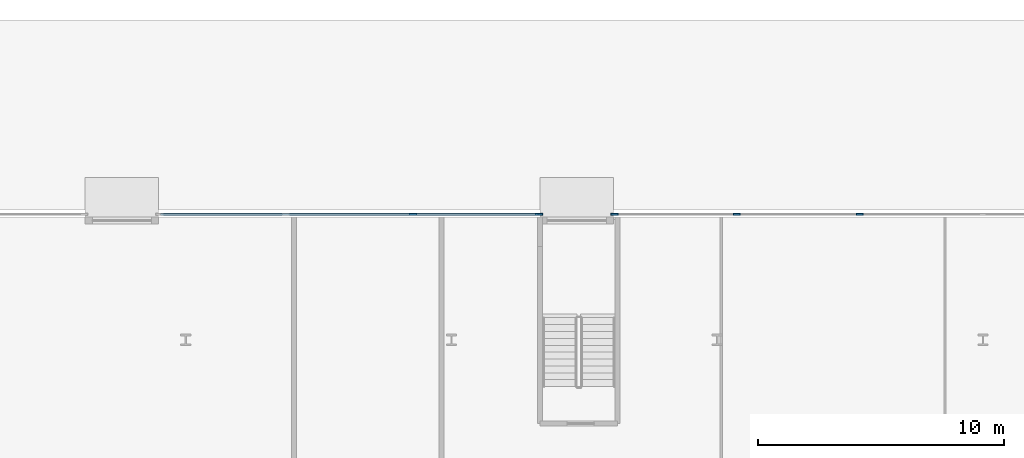
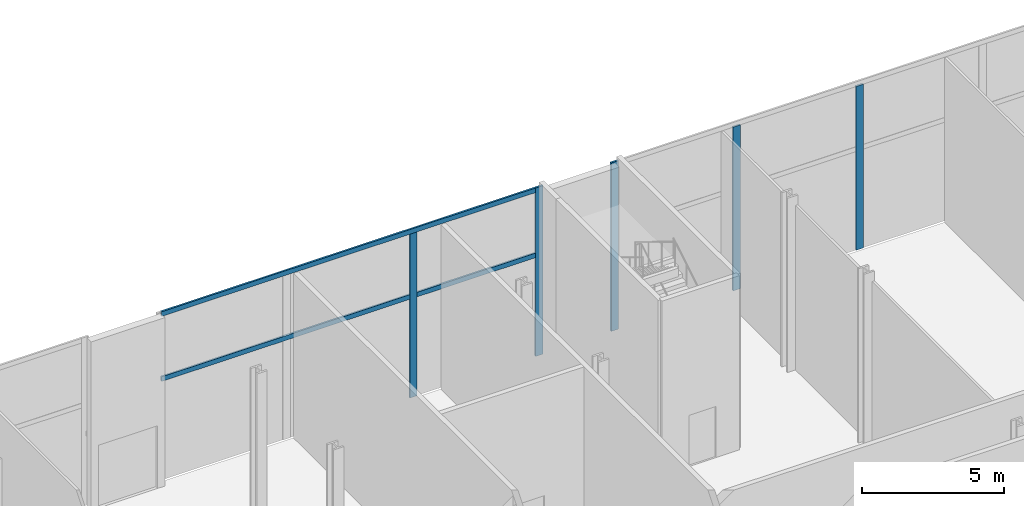
# One storey, part 13 of 46: 7 members, 2 elements without a shape of their own.
"""IFC4 building model written with IfcOpenShell, lengths in metres."""

from ifc_helpers import new_model, si_unit, direction, frame, origin, origin_2d, place, context, subcontext, project, spatial, rectangle, extrude, material, layer, layer_set, material_profile, profile_set, type_object, element, aggregate, save


model = new_model("IFC4")

# Units and contexts
model_context = context("Model", 3, precision=1e-05, world=origin(), true_north=direction((0.0, 1.0)))
body_context = subcontext(model_context, "Body", "Model", "MODEL_VIEW")
ifc_project = project(units=[si_unit("LENGTHUNIT", "METRE"), si_unit("AREAUNIT", "SQUARE_METRE"), si_unit("VOLUMEUNIT", "CUBIC_METRE"), si_unit("PLANEANGLEUNIT", "RADIAN"), si_unit("MASSUNIT", "GRAM", prefix="KILO")], contexts=[model_context])

# Site, building, storey
site_placement = place(None, origin())
site = spatial("IfcSite", under=ifc_project, at=site_placement, CompositionType="ELEMENT")
building_placement = place(site_placement, origin())
building = spatial("IfcBuilding", under=site, at=building_placement, Name="Kheshtan School and Residences Tower", CompositionType="ELEMENT")
storey_placement = place(building_placement, origin())
storey = spatial("IfcBuildingStorey", under=building, at=storey_placement, Name="L00", CompositionType="ELEMENT", Elevation=0.0)

# Curtain wall, members
ifc_material_1 = material(Name="Clear low-e glass in thermally broken aluminium frame", Category="aluminium")
ifc_layer = layer(ifc_material_1, 0.300048828125)
ifc_layer_set = layer_set([ifc_layer], Name="Curtain wall CW-A")
curtain_wall_type = type_object("IfcCurtainWallType", Name="Curtain wall CW-A", PredefinedType="NOTDEFINED", material=ifc_layer_set)
curtain_wall_1_placement = place(storey_placement, origin())
curtain_wall_1 = element("IfcCurtainWall", 1, at=curtain_wall_1_placement, inside=storey, type_object=curtain_wall_type, Name="Curtain wall CWA4b", PredefinedType="NOTDEFINED")
ifc_material_2 = material(Name="Thermally broken aluminium, dark bronze anodised", Category="aluminium")
ifc_material_profile_1 = material_profile(ifc_material_2, rectangle(XDim=0.074951171875, YDim=0.300048828125, at=origin_2d()), Name="CW-A mullion 75x300")
ifc_profile_set_1 = profile_set([ifc_material_profile_1], Name="Thermally broken aluminium, dark bronze anodised")
member_type_1 = type_object("IfcMemberType", Name="CW-A mullion 75x300", PredefinedType="MULLION", material=ifc_profile_set_1)
member_1_placement = place(storey_placement, frame((56.82666015625, 110.10009765625, 0.0), z_axis=(0.0, 0.0, 1.0), x_axis=(0.0, 1.0, 0.0)))
member_1 = element("IfcMember", 2, at=member_1_placement, type_object=member_type_1, Name="CWA4b mullion 3", PredefinedType="MULLION", context=body_context, shape_type="SweptSolid", body=[
    extrude(rectangle(XDim=0.074951171875, YDim=0.300048828125, at=origin_2d()), origin(), (0.0, 0.0, 1.0), 7.050048828125),
])
member_2_placement = place(storey_placement, frame((61.952392578125, 110.10009765625, 0.0), z_axis=(0.0, 0.0, 1.0), x_axis=(0.0, 1.0, 0.0)))
member_2 = element("IfcMember", 3, at=member_2_placement, type_object=member_type_1, Name="CWA4b mullion 4", PredefinedType="MULLION", context=body_context, shape_type="SweptSolid", body=[
    extrude(rectangle(XDim=0.074951171875, YDim=0.300048828125, at=origin_2d()), origin(), (0.0, 0.0, 1.0), 7.25),
])

curtain_wall_2_placement = place(storey_placement, origin())
curtain_wall_2 = element("IfcCurtainWall", 4, at=curtain_wall_2_placement, inside=storey, type_object=curtain_wall_type, Name="Curtain wall CWA4c", PredefinedType="NOTDEFINED")
member_3_placement = place(storey_placement, frame((65.027587890625, 110.10009765625, 0.0), z_axis=(0.0, 0.0, 1.0), x_axis=(0.0, 1.0, 0.0)))
member_3 = element("IfcMember", 5, at=member_3_placement, type_object=member_type_1, Name="CWA4c mullion 1", PredefinedType="MULLION", context=body_context, shape_type="SweptSolid", body=[
    extrude(rectangle(XDim=0.074951171875, YDim=0.300048828125, at=origin_2d()), origin(), (0.0, 0.0, 1.0), 7.25),
])
member_4_placement = place(storey_placement, frame((69.989990234375, 110.10009765625, 0.0), z_axis=(0.0, 0.0, 1.0), x_axis=(0.0, 1.0, 0.0)))
member_4 = element("IfcMember", 6, at=member_4_placement, type_object=member_type_1, Name="CWA4c mullion 2", PredefinedType="MULLION", context=body_context, shape_type="SweptSolid", body=[
    extrude(rectangle(XDim=0.074951171875, YDim=0.300048828125, at=origin_2d()), origin(), (0.0, 0.0, 1.0), 7.050048828125),
])
member_5_placement = place(storey_placement, frame((74.989990234375, 110.10009765625, 0.0), z_axis=(0.0, 0.0, 1.0), x_axis=(0.0, 1.0, 0.0)))
member_5 = element("IfcMember", 7, at=member_5_placement, type_object=member_type_1, Name="CWA4c mullion 3", PredefinedType="MULLION", context=body_context, shape_type="SweptSolid", body=[
    extrude(rectangle(XDim=0.074951171875, YDim=0.300048828125, at=origin_2d()), origin(), (0.0, 0.0, 1.0), 7.050048828125),
])
aggregate(curtain_wall_2, [member_3, member_4, member_5])

# Member
ifc_material_profile_2 = material_profile(ifc_material_2, rectangle(XDim=0.074951171875, YDim=0.199951171875, at=origin_2d()), Name="CW-A transom 75x200")
ifc_profile_set_2 = profile_set([ifc_material_profile_2], Name="Thermally broken aluminium, dark bronze anodised")
member_type_2 = type_object("IfcMemberType", Name="CW-A transom 75x200", PredefinedType="USERDEFINED", material=ifc_profile_set_2)
member_6_placement = place(storey_placement, frame((46.574951171875, 110.10009765625, 4.35009765625), z_axis=(1.0, 0.0, 0.0), x_axis=(0.0, 1.0, 0.0)))
member_6 = element("IfcMember", 8, at=member_6_placement, type_object=member_type_2, Name="CWA4b transom 1", ObjectType="TRANSOM", PredefinedType="USERDEFINED", context=body_context, shape_type="SweptSolid", body=[
    extrude(rectangle(XDim=0.074951171875, YDim=0.199951171875, at=origin_2d()), origin(), (0.0, 0.0, 1.0), 15.340087890625),
])

member_7_placement = place(storey_placement, frame((46.574951171875, 110.10009765625, 7.14990234375), z_axis=(1.0, 0.0, 0.0), x_axis=(0.0, 1.0, 0.0)))
member_7 = element("IfcMember", 9, at=member_7_placement, type_object=member_type_2, Name="CWA4b transom 2", ObjectType="TRANSOM", PredefinedType="USERDEFINED", context=body_context, shape_type="SweptSolid", body=[
    extrude(rectangle(XDim=0.074951171875, YDim=0.199951171875, at=origin_2d()), origin(), (0.0, 0.0, 1.0), 15.340087890625),
])

aggregate(curtain_wall_1, [member_1, member_2, member_6, member_7])

save(model, "model.ifc")
